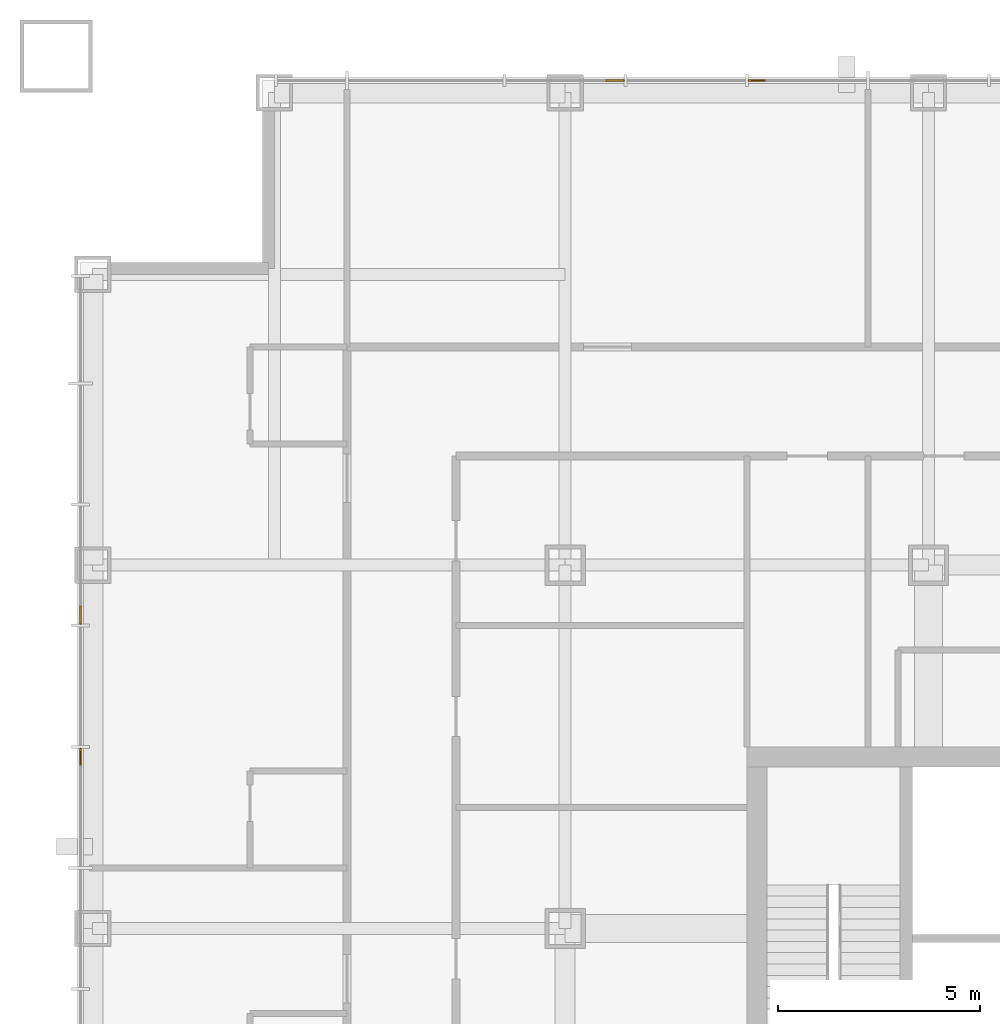
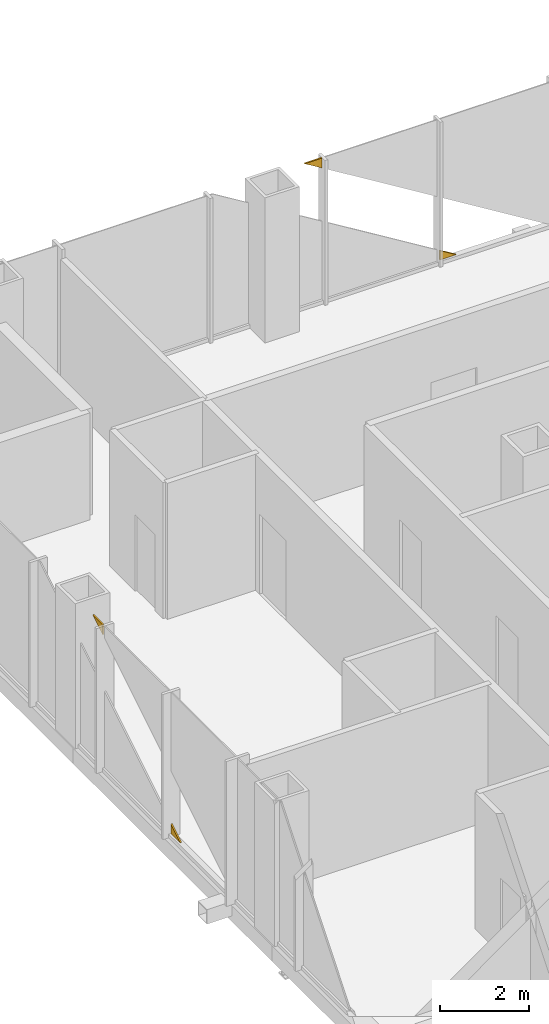
# One storey, part 16 of 17: 4 coverings.
"""IFC4 building model written with IfcOpenShell, lengths in metres."""

from ifc_helpers import new_model, si_unit, direction, frame, origin, place, context, subcontext, project, spatial, polyline, outline, extrude, material, layer, layer_set, type_object, element, save


model = new_model("IFC4")

# Units and contexts
model_context = context("Model", 3, precision=1e-05, world=origin(), true_north=direction((0.0, 1.0)))
body_context = subcontext(model_context, "Body", "Model", "MODEL_VIEW")
ifc_project = project(units=[si_unit("LENGTHUNIT", "METRE"), si_unit("AREAUNIT", "SQUARE_METRE"), si_unit("VOLUMEUNIT", "CUBIC_METRE"), si_unit("PLANEANGLEUNIT", "RADIAN"), si_unit("MASSUNIT", "GRAM", prefix="KILO")], contexts=[model_context])

# Site, building, storey
site_placement = place(None, origin())
site = spatial("IfcSite", under=ifc_project, at=site_placement, CompositionType="ELEMENT")
building_placement = place(site_placement, origin())
building = spatial("IfcBuilding", under=site, at=building_placement, Name="Malebo Sky Hospital", CompositionType="ELEMENT")
storey_placement = place(building_placement, frame((0.0, 0.0, 83.0)))
storey = spatial("IfcBuildingStorey", under=building, at=storey_placement, Name="L19", CompositionType="ELEMENT", Elevation=83.0)

# Coverings
ifc_material = material(Name="Anodised aluminium, natural silver insulated infill panel", Category="aluminium")
ifc_layer = layer(ifc_material, 0.0400390625)
ifc_layer_set = layer_set([ifc_layer], Name="BRACE INFILL PANEL 40")
covering_type = type_object("IfcCoveringType", Name="BRACE INFILL PANEL 40", PredefinedType="CLADDING", material=ifc_layer_set)
covering_1_placement = place(storey_placement, frame((47.736572265625, 87.5, 3.713134765625), z_axis=(0.0, 0.0, 1.0), x_axis=(1.0, 0.0, 0.0)))
element("IfcCovering", 1, at=covering_1_placement, inside=storey, type_object=covering_type, Name="Brace infill panel 3.1", PredefinedType="CLADDING", context=body_context, shape_type="SweptSolid", body=[
    extrude(outline(polyline([(0.225830078125, 0.0), (0.225830078125, 0.27685546875), (-0.225830078125, 0.27685546875), (0.225830078125, 0.0)])), frame((0.0, 0.02001953125, 0.0), z_axis=(0.0, -1.0, 0.0), x_axis=(1.0, 0.0, 0.0)), (0.0, 0.0, 1.0), 0.0400390625),
])
covering_2_placement = place(storey_placement, frame((51.25, 87.5, 0.10009765625), z_axis=(0.0, 0.0, 1.0), x_axis=(1.0, 0.0, 0.0)))
element("IfcCovering", 2, at=covering_2_placement, inside=storey, type_object=covering_type, Name="Brace infill panel 5.1", PredefinedType="CLADDING", context=body_context, shape_type="SweptSolid", body=[
    extrude(outline(polyline([(-0.212646484375, 0.0), (0.212646484375, 0.0), (-0.212646484375, 0.2607421875), (-0.212646484375, 0.0)])), frame((0.0, 0.02001953125, 0.0), z_axis=(0.0, -1.0, 0.0), x_axis=(1.0, 0.0, 0.0)), (0.0, 0.0, 1.0), 0.0400390625),
])
covering_3_placement = place(storey_placement, frame((34.5, 70.75, 0.10009765625), z_axis=(0.0, 0.0, 1.0), x_axis=(0.0, 1.0, 0.0)))
element("IfcCovering", 3, at=covering_3_placement, inside=storey, type_object=covering_type, Name="Brace infill panel 10.1", PredefinedType="CLADDING", context=body_context, shape_type="SweptSolid", body=[
    extrude(outline(polyline([(-0.212646484375, 0.0), (0.212646484375, 0.0), (0.212646484375, 0.2607421875), (-0.212646484375, 0.0)])), frame((0.0, 0.02001953125, 0.0), z_axis=(0.0, -1.0, 0.0), x_axis=(1.0, 0.0, 0.0)), (0.0, 0.0, 1.0), 0.0400390625),
])
covering_4_placement = place(storey_placement, frame((34.5, 74.263427734375, 3.713134765625), z_axis=(0.0, 0.0, 1.0), x_axis=(0.0, 1.0, 0.0)))
element("IfcCovering", 4, at=covering_4_placement, inside=storey, type_object=covering_type, Name="Brace infill panel 12.1", PredefinedType="CLADDING", context=body_context, shape_type="SweptSolid", body=[
    extrude(outline(polyline([(-0.225830078125, 0.0), (0.225830078125, 0.27685546875), (-0.225830078125, 0.27685546875), (-0.225830078125, 0.0)])), frame((0.0, 0.02001953125, 0.0), z_axis=(0.0, -1.0, 0.0), x_axis=(1.0, 0.0, 0.0)), (0.0, 0.0, 1.0), 0.0400390625),
])

save(model, "model.ifc")
